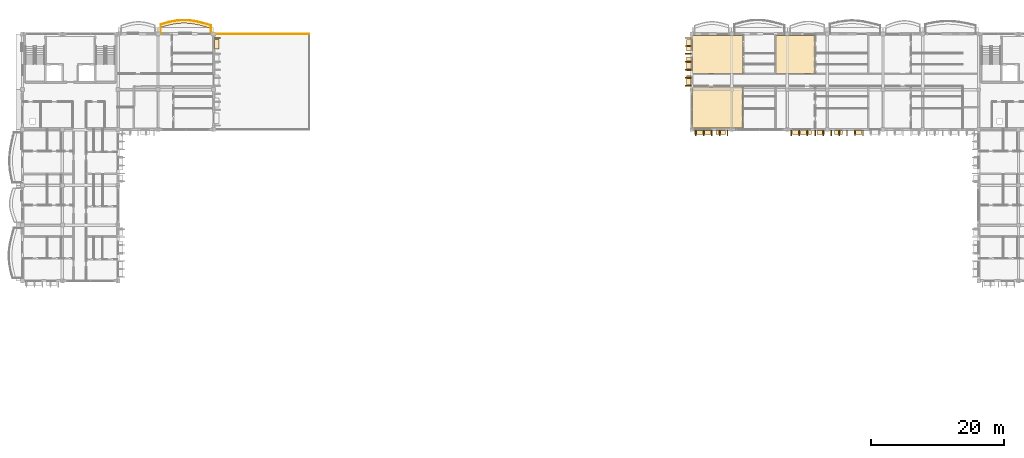
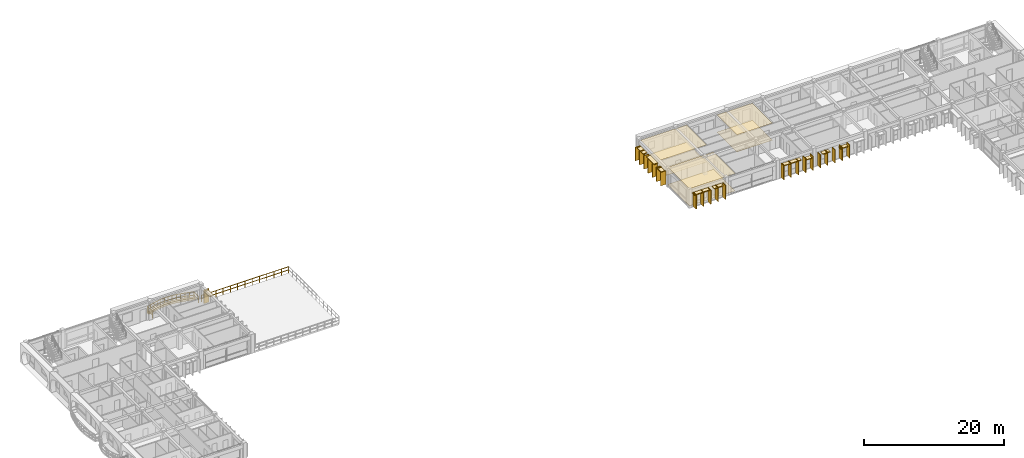
# One storey, part 25 of 31: 40 coverings, 2 railings.
"""IFC4 building model written with IfcOpenShell, lengths in metres."""

import ifcopenshell
import ifcopenshell.guid

model = None  # the IFC model being written
_history = None  # IfcOwnerHistory: only IFC2X3 demands one
_inside = {}  # id of a spatial element -> (the spatial element, [elements in it])
_under = {}  # id of a project, library or spatial element -> (it, [spatial elements below it])
_declared = {}  # id of a project -> (the project, [libraries it declares])
_typed = {}  # id of a type object -> (the type object, [elements of that type])
_made_of = {}  # id of a material, layer set ... -> (it, [elements and type objects made of it])


def new_model(schema):
    """Start an empty IFC model of exactly this schema.

    Asked for "IFC4X3", IfcOpenShell would pick the latest addendum, in which some entities
    have other attributes; the version numbers below select the first issue.
    IFC2X3 requires an IfcOwnerHistory on every rooted entity: one is made here for all.
    """
    global model, _history
    if schema == "IFC4X3":
        model = ifcopenshell.file(schema_version=(4, 3, 0, 0))
    else:
        model = ifcopenshell.file(schema=schema)
    _inside.clear()
    _under.clear()
    _declared.clear()
    _typed.clear()
    _made_of.clear()
    _history = None
    if model.schema == "IFC2X3":
        org = make("IfcOrganization", Name="unknown")
        user = make(
            "IfcPersonAndOrganization",
            ThePerson=make("IfcPerson", FamilyName="unknown"),
            TheOrganization=org,
        )
        app = make(
            "IfcApplication",
            ApplicationDeveloper=org,
            Version="unknown",
            ApplicationFullName="unknown",
            ApplicationIdentifier="unknown",
        )
        _history = make(
            "IfcOwnerHistory",
            OwningUser=user,
            OwningApplication=app,
            ChangeAction="ADDED",
            CreationDate=0,
        )
    return model


def make(cls, **values):
    """One entity of the class cls with the attributes given. An attribute that is None is left unset."""
    return model.create_entity(
        cls, **{name: value for name, value in values.items() if value is not None}
    )


def rooted(cls, **values):
    """An entity with a GlobalId (a new one), such as an element, a storey or a relation."""
    return make(cls, GlobalId=ifcopenshell.guid.new(), OwnerHistory=_history, **values)


def si_unit(unit_type, name, prefix=None):
    """IfcSIUnit, for example si_unit("LENGTHUNIT", "METRE", prefix="MILLI")."""
    return make("IfcSIUnit", UnitType=unit_type, Prefix=prefix, Name=name)


def assignment(units):
    """IfcUnitAssignment: the units of a project."""
    return None if units is None else make("IfcUnitAssignment", Units=units)


def point(xyz):
    """IfcCartesianPoint."""
    return None if xyz is None else make("IfcCartesianPoint", Coordinates=xyz)


def direction(xyz):
    """IfcDirection."""
    return None if xyz is None else make("IfcDirection", DirectionRatios=xyz)


def frame(location, z_axis=None, x_axis=None):
    """IfcAxis2Placement3D, a coordinate frame: its origin and axes. An axis left out is left unset."""
    return make(
        "IfcAxis2Placement3D",
        Location=point(location),
        Axis=direction(z_axis),
        RefDirection=direction(x_axis),
    )


def frame_2d(location, x_axis=None):
    """IfcAxis2Placement2D, a coordinate frame in the plane: its origin and x axis."""
    return make(
        "IfcAxis2Placement2D", Location=point(location), RefDirection=direction(x_axis)
    )


def origin():
    """The frame at (0, 0, 0) with its axes left unset."""
    return frame((0.0, 0.0, 0.0))


def origin_2d():
    """The frame at (0, 0) in the plane with its x axis left unset."""
    return frame_2d((0.0, 0.0))


def place(relative_to, where):
    """IfcLocalPlacement: puts the frame where relative to a parent placement (None: the world)."""
    return make(
        "IfcLocalPlacement", PlacementRelTo=relative_to, RelativePlacement=where
    )


def context(
    kind, dimensions, precision=None, world=None, true_north=None, identifier=None
):
    """IfcGeometricRepresentationContext, for example the 3D "Model" context."""
    return make(
        "IfcGeometricRepresentationContext",
        ContextIdentifier=identifier,
        ContextType=kind,
        CoordinateSpaceDimension=dimensions,
        Precision=precision,
        WorldCoordinateSystem=world,
        TrueNorth=true_north,
    )


def subcontext(parent, identifier, kind, view, scale=None):
    """IfcGeometricRepresentationSubContext, for example "Body" below "Model"."""
    return make(
        "IfcGeometricRepresentationSubContext",
        ContextIdentifier=identifier,
        ContextType=kind,
        ParentContext=parent,
        TargetScale=scale,
        TargetView=view,
    )


def project(units=None, contexts=None):
    """IfcProject with its units and contexts."""
    return rooted(
        "IfcProject",
        Name="project",
        RepresentationContexts=contexts,
        UnitsInContext=assignment(units),
    )


def spatial(cls, under=None, at=None, **own):
    """A site, building, storey or space (cls), placed at a placement, below another one or the project."""
    s = rooted(cls, ObjectPlacement=at, **own)
    if under is not None:
        _under.setdefault(under.id(), (under, []))[1].append(s)
    return s


def polyline(points):
    """IfcPolyline through the points."""
    return make("IfcPolyline", Points=[point(p) for p in points])


def profile(cls, at=None, kind="AREA", **sizes):
    """A parametric profile (cls). Its sizes go by their IFC names, for example OverallWidth=200.0."""
    return make(cls, ProfileType=kind, Position=at, **sizes)


def rectangle(**sizes):
    """IfcRectangleProfileDef."""
    return profile("IfcRectangleProfileDef", **sizes)


def outline(outer, holes=None, kind="AREA"):
    """IfcArbitraryClosedProfileDef: a profile drawn as a closed curve; with holes, ...WithVoids."""
    if holes is None:
        return make("IfcArbitraryClosedProfileDef", ProfileType=kind, OuterCurve=outer)
    return make(
        "IfcArbitraryProfileDefWithVoids",
        ProfileType=kind,
        OuterCurve=outer,
        InnerCurves=holes,
    )


def extrude(swept, where, along, depth):
    """IfcExtrudedAreaSolid: the profile swept, set in the frame where, extruded along a direction by depth."""
    return make(
        "IfcExtrudedAreaSolid",
        SweptArea=swept,
        Position=where,
        ExtrudedDirection=direction(along),
        Depth=depth,
    )


def shape(context_of_items, identifier, shape_type, items):
    """IfcShapeRepresentation: the items that make up one representation, for example the "Body"."""
    return make(
        "IfcShapeRepresentation",
        ContextOfItems=context_of_items,
        RepresentationIdentifier=identifier,
        RepresentationType=shape_type,
        Items=items,
    )


def material(Name=None, Category=None):
    """IfcMaterial."""
    return make("IfcMaterial", Name=Name, Category=Category)


def layer(
    of_material, thickness, ventilated=None, Name=None, Category=None, Priority=None
):
    """IfcMaterialLayer: one layer of a wall or slab, of a material (None: an air gap)."""
    return make(
        "IfcMaterialLayer",
        Material=of_material,
        LayerThickness=thickness,
        IsVentilated=ventilated,
        Name=Name,
        Category=Category,
        Priority=Priority,
    )


def layer_set(layers, Name=None):
    """IfcMaterialLayerSet."""
    return make("IfcMaterialLayerSet", MaterialLayers=layers, LayerSetName=Name)


def made_of(thing, what):
    """Note that an element or type object is made of a material, layer set ...; save() writes the relation."""
    if what is not None:
        _made_of.setdefault(what.id(), (what, []))[1].append(thing)
    return thing


def type_object(cls, material=None, **own):
    """A type object (cls), such as IfcWallType, which elements share."""
    return made_of(rooted(cls, **own), material)


def element(
    cls,
    number,
    at=None,
    inside=None,
    cuts=None,
    type_object=None,
    material=None,
    context=None,
    identifier="Body",
    shape_type=None,
    held_by="IfcProductDefinitionShape",
    body=None,
    shapes=None,
    **own,
):
    """One element of the class cls, such as IfcWall. Its Tag is "e" and its number.

    at: its placement. inside: the storey or other place that contains it. cuts: it is an
    opening in that element (IfcRelVoidsElement). A single representation is given by context,
    identifier, shape_type and body (its items); several are given by shapes. held_by: the class
    of the entity that holds the representations. save() writes the other relations.
    """
    e = rooted(cls, Tag="e%d" % number, ObjectPlacement=at, **own)
    if body is not None:
        shapes = [shape(context, identifier, shape_type, body)]
    if shapes is not None:
        e.Representation = make(held_by, Representations=shapes)
    if inside is not None:
        _inside.setdefault(inside.id(), (inside, []))[1].append(e)
    if cuts is not None:
        rooted(
            "IfcRelVoidsElement", RelatingBuildingElement=cuts, RelatedOpeningElement=e
        )
    if type_object is not None:
        _typed.setdefault(type_object.id(), (type_object, []))[1].append(e)
    return made_of(e, material)


def aggregate(whole, parts):
    """IfcRelAggregates: a whole, such as a stair, and the parts it consists of."""
    return rooted("IfcRelAggregates", RelatingObject=whole, RelatedObjects=parts)


def save(model, path):
    """Write the relations noted so far, then the file.

    IfcRelAggregates (storeys below a building ...), IfcRelContainedInSpatialStructure (elements
    in a storey), IfcRelDefinesByType, IfcRelAssociatesMaterial and IfcRelDeclares: one each for
    every whole, place, type object, material and project.
    """
    for whole, parts in _under.values():
        aggregate(whole, parts)
    for where, things in _inside.values():
        rooted(
            "IfcRelContainedInSpatialStructure",
            RelatedElements=things,
            RelatingStructure=where,
        )
    for kind, things in _typed.values():
        rooted("IfcRelDefinesByType", RelatedObjects=things, RelatingType=kind)
    for what, things in _made_of.values():
        rooted("IfcRelAssociatesMaterial", RelatedObjects=things, RelatingMaterial=what)
    for by, libraries in _declared.values():
        rooted("IfcRelDeclares", RelatingContext=by, RelatedDefinitions=libraries)
    model.write(path)


model = new_model("IFC4")

# Units and contexts
model_context = context("Model", 3, precision=1e-05, world=origin(), true_north=direction((0.0, 1.0)))
body_context = subcontext(model_context, "Body", "Model", "MODEL_VIEW")
ifc_project = project(units=[si_unit("LENGTHUNIT", "METRE"), si_unit("AREAUNIT", "SQUARE_METRE"), si_unit("VOLUMEUNIT", "CUBIC_METRE"), si_unit("PLANEANGLEUNIT", "RADIAN"), si_unit("MASSUNIT", "GRAM", prefix="KILO"), si_unit("THERMODYNAMICTEMPERATUREUNIT", "KELVIN")], contexts=[model_context])

# Site, building, storey
site_placement = place(None, origin())
site = spatial("IfcSite", under=ifc_project, at=site_placement, CompositionType="ELEMENT")
building_placement = place(site_placement, origin())
building = spatial("IfcBuilding", under=site, at=building_placement, Name="Thalorik Housing Commons", CompositionType="ELEMENT")
storey_placement = place(building_placement, frame((0.0, 0.0, 37.800048828125)))
storey = spatial("IfcBuildingStorey", under=building, at=storey_placement, Name="L11", CompositionType="ELEMENT", Elevation=37.800048828125)

# Coverings
ifc_material_1 = material(Name="Precast concrete C40/50", Category="concrete")
ifc_layer_1 = layer(ifc_material_1, 0.85009765625, Name="Precast concrete C40/50", Category="concrete")
ifc_layer_set_1 = layer_set([ifc_layer_1], Name="Precast concrete C40/50")
covering_type_1 = type_object("IfcCoveringType", Name="ARC-CLD-FIN-850", PredefinedType="CLADDING", material=ifc_layer_set_1)
for number, where, z_axis, x_axis, name in (
    (1, (37.737548828125, 123.0, 0.0400390625), (0.0, 0.0, 1.0), (0.0, 1.0, 0.0), "L11 Courtyard Precast Vertical Brise-Soleil Fin 1126"),
    (2, (108.66748046875, 123.0, 0.0400390625), (0.0, 0.0, 1.0), (0.0, -1.0, 0.0), "L11 Courtyard Precast Vertical Brise-Soleil Fin 3182"),
    (3, (108.66748046875, 121.800048828125, 0.0400390625), (0.0, 0.0, 1.0), (0.0, -1.0, 0.0), "L11 Courtyard Precast Vertical Brise-Soleil Fin 3183"),
    (4, (108.66748046875, 120.60009765625, 0.0400390625), (0.0, 0.0, 1.0), (0.0, -1.0, 0.0), "L11 Courtyard Precast Vertical Brise-Soleil Fin 3184"),
    (5, (108.66748046875, 119.39990234375, 0.0400390625), (0.0, 0.0, 1.0), (0.0, -1.0, 0.0), "L11 Courtyard Precast Vertical Brise-Soleil Fin 3185"),
    (6, (108.66748046875, 118.199951171875, 0.0400390625), (0.0, 0.0, 1.0), (0.0, -1.0, 0.0), "L11 Courtyard Precast Vertical Brise-Soleil Fin 3186"),
    (7, (108.66748046875, 117.0, 0.0400390625), (0.0, 0.0, 1.0), (0.0, -1.0, 0.0), "L11 Courtyard Precast Vertical Brise-Soleil Fin 3187"),
    (8, (108.66748046875, 115.800048828125, 0.0400390625), (0.0, 0.0, 1.0), (0.0, -1.0, 0.0), "L11 Courtyard Precast Vertical Brise-Soleil Fin 3188"),
):
    element("IfcCovering", number, at=place(storey_placement, frame(where, z_axis=z_axis, x_axis=x_axis)), inside=storey, type_object=covering_type_1, Name=name, PredefinedType="CLADDING", context=body_context, shape_type="SweptSolid", body=[
        extrude(rectangle(XDim=0.110107421875, YDim=0.85009765625, at=origin_2d()), origin(), (0.0, 0.0, 1.0), 2.344970703125),
    ])
for number, where, z_axis, x_axis, name in (
    (9, (109.800048828125, 108.66748046875, 0.0400390625), (0.0, 0.0, 1.0), (1.0, 0.0, 0.0), "L11 Courtyard Precast Vertical Brise-Soleil Fin 3192"),
    (10, (111.0, 108.66748046875, 0.0400390625), (0.0, 0.0, 1.0), (1.0, 0.0, 0.0), "L11 Courtyard Precast Vertical Brise-Soleil Fin 3193"),
    (11, (112.199951171875, 108.66748046875, 0.0400390625), (0.0, 0.0, 1.0), (1.0, 0.0, 0.0), "L11 Courtyard Precast Vertical Brise-Soleil Fin 3194"),
    (12, (113.39990234375, 108.66748046875, 0.0400390625), (0.0, 0.0, 1.0), (1.0, 0.0, 0.0), "L11 Courtyard Precast Vertical Brise-Soleil Fin 3195"),
    (13, (114.60009765625, 108.66748046875, 0.0400390625), (0.0, 0.0, 1.0), (1.0, 0.0, 0.0), "L11 Courtyard Precast Vertical Brise-Soleil Fin 3196"),
    (14, (124.199951171875, 108.66748046875, 0.0400390625), (0.0, 0.0, 1.0), (1.0, 0.0, 0.0), "L11 Courtyard Precast Vertical Brise-Soleil Fin 3199"),
    (15, (125.39990234375, 108.66748046875, 0.0400390625), (0.0, 0.0, 1.0), (1.0, 0.0, 0.0), "L11 Courtyard Precast Vertical Brise-Soleil Fin 3200"),
    (16, (126.60009765625, 108.66748046875, 0.0400390625), (0.0, 0.0, 1.0), (1.0, 0.0, 0.0), "L11 Courtyard Precast Vertical Brise-Soleil Fin 3201"),
    (17, (127.800048828125, 108.66748046875, 0.0400390625), (0.0, 0.0, 1.0), (1.0, 0.0, 0.0), "L11 Courtyard Precast Vertical Brise-Soleil Fin 3202"),
    (18, (129.0, 108.66748046875, 0.0400390625), (0.0, 0.0, 1.0), (1.0, 0.0, 0.0), "L11 Courtyard Precast Vertical Brise-Soleil Fin 3203"),
):
    element("IfcCovering", number, at=place(storey_placement, frame(where, z_axis=z_axis, x_axis=x_axis)), inside=storey, type_object=covering_type_1, Name=name, PredefinedType="CLADDING", context=body_context, shape_type="SweptSolid", body=[
        extrude(rectangle(XDim=0.110107421875, YDim=0.85009765625, at=origin_2d()), origin(), (0.0, 0.0, 1.0), 2.445068359375),
    ])
for number, where, z_axis, x_axis, name in (
    (19, (130.199951171875, 108.66748046875, 0.0400390625), (0.0, 0.0, 1.0), (1.0, 0.0, 0.0), "L11 Courtyard Precast Vertical Brise-Soleil Fin 3206"),
    (20, (131.39990234375, 108.66748046875, 0.0400390625), (0.0, 0.0, 1.0), (1.0, 0.0, 0.0), "L11 Courtyard Precast Vertical Brise-Soleil Fin 3207"),
    (21, (132.60009765625, 108.66748046875, 0.0400390625), (0.0, 0.0, 1.0), (1.0, 0.0, 0.0), "L11 Courtyard Precast Vertical Brise-Soleil Fin 3208"),
    (22, (133.800048828125, 108.66748046875, 0.0400390625), (0.0, 0.0, 1.0), (1.0, 0.0, 0.0), "L11 Courtyard Precast Vertical Brise-Soleil Fin 3209"),
    (23, (135.0, 108.66748046875, 0.0400390625), (0.0, 0.0, 1.0), (1.0, 0.0, 0.0), "L11 Courtyard Precast Vertical Brise-Soleil Fin 3210"),
):
    element("IfcCovering", number, at=place(storey_placement, frame(where, z_axis=z_axis, x_axis=x_axis)), inside=storey, type_object=covering_type_1, Name=name, PredefinedType="CLADDING", context=body_context, shape_type="SweptSolid", body=[
        extrude(rectangle(XDim=0.110107421875, YDim=0.85009765625, at=origin_2d()), origin(), (0.0, 0.0, 1.0), 2.294921875),
    ])
ifc_layer_2 = layer(ifc_material_1, 0.64990234375, Name="Precast concrete C40/50", Category="concrete")
ifc_layer_set_2 = layer_set([ifc_layer_2], Name="Precast concrete C40/50")
covering_type_2 = type_object("IfcCoveringType", Name="ARC-CLD-HOOD-650", PredefinedType="CLADDING", material=ifc_layer_set_2)
covering_1_placement = place(storey_placement, frame((37.637451171875, 122.044677734375, 2.16015625), z_axis=(0.0, 0.0, 1.0), x_axis=(0.0, 1.0, 0.0)))
element("IfcCovering", 24, at=covering_1_placement, inside=storey, type_object=covering_type_2, Name="L11 Courtyard Precast Window Sun-Hood 1127", PredefinedType="CLADDING", context=body_context, shape_type="SweptSolid", body=[
    extrude(rectangle(XDim=1.389892578125, YDim=0.64990234375, at=origin_2d()), origin(), (0.0, 0.0, 1.0), 0.139892578125),
])
covering_2_placement = place(storey_placement, frame((108.767578125, 121.91748046875, 2.2099609375), z_axis=(0.0, 0.0, 1.0), x_axis=(0.0, -1.0, 0.0)))
element("IfcCovering", 25, at=covering_2_placement, inside=storey, type_object=covering_type_2, Name="L11 Courtyard Precast Window Sun-Hood 3189", PredefinedType="CLADDING", context=body_context, shape_type="SweptSolid", body=[
    extrude(rectangle(XDim=1.760009765625, YDim=0.64990234375, at=origin_2d()), origin(), (0.0, 0.0, 1.0), 0.139892578125),
])
covering_3_placement = place(storey_placement, frame((108.767578125, 119.072509765625, 2.27490234375), z_axis=(0.0, 0.0, 1.0), x_axis=(0.0, -1.0, 0.0)))
element("IfcCovering", 26, at=covering_3_placement, inside=storey, type_object=covering_type_2, Name="L11 Courtyard Precast Window Sun-Hood 3190", PredefinedType="CLADDING", context=body_context, shape_type="SweptSolid", body=[
    extrude(rectangle(XDim=2.1201171875, YDim=0.64990234375, at=origin_2d()), origin(), (0.0, 0.0, 1.0), 0.139892578125),
])
covering_4_placement = place(storey_placement, frame((108.767578125, 116.64990234375, 2.14013671875), z_axis=(0.0, 0.0, 1.0), x_axis=(0.0, -1.0, 0.0)))
element("IfcCovering", 27, at=covering_4_placement, inside=storey, type_object=covering_type_2, Name="L11 Courtyard Precast Window Sun-Hood 3191", PredefinedType="CLADDING", context=body_context, shape_type="SweptSolid", body=[
    extrude(rectangle(XDim=1.43994140625, YDim=0.64990234375, at=origin_2d()), origin(), (0.0, 0.0, 1.0), 0.139892578125),
])
covering_5_placement = place(storey_placement, frame((110.830078125, 108.767578125, 2.31005859375), z_axis=(0.0, 0.0, 1.0), x_axis=(1.0, 0.0, 0.0)))
element("IfcCovering", 28, at=covering_5_placement, inside=storey, type_object=covering_type_2, Name="L11 Courtyard Precast Window Sun-Hood 3197", PredefinedType="CLADDING", context=body_context, shape_type="SweptSolid", body=[
    extrude(rectangle(XDim=2.47998046875, YDim=0.64990234375, at=origin_2d()), origin(), (0.0, 0.0, 1.0), 0.139892578125),
])
covering_6_placement = place(storey_placement, frame((113.570068359375, 108.767578125, 2.2900390625), z_axis=(0.0, 0.0, 1.0), x_axis=(1.0, 0.0, 0.0)))
element("IfcCovering", 29, at=covering_6_placement, inside=storey, type_object=covering_type_2, Name="L11 Courtyard Precast Window Sun-Hood 3198", PredefinedType="CLADDING", context=body_context, shape_type="SweptSolid", body=[
    extrude(rectangle(XDim=1.43994140625, YDim=0.64990234375, at=origin_2d()), origin(), (0.0, 0.0, 1.0), 0.139892578125),
])
covering_7_placement = place(storey_placement, frame((125.7900390625, 108.767578125, 2.27001953125), z_axis=(0.0, 0.0, 1.0), x_axis=(1.0, 0.0, 0.0)))
element("IfcCovering", 30, at=covering_7_placement, inside=storey, type_object=covering_type_2, Name="L11 Courtyard Precast Window Sun-Hood 3204", PredefinedType="CLADDING", context=body_context, shape_type="SweptSolid", body=[
    extrude(rectangle(XDim=2.820068359375, YDim=0.64990234375, at=origin_2d()), origin(), (0.0, 0.0, 1.0), 0.139892578125),
])
covering_8_placement = place(storey_placement, frame((128.60009765625, 108.767578125, 1.990234375), z_axis=(0.0, 0.0, 1.0), x_axis=(1.0, 0.0, 0.0)))
element("IfcCovering", 31, at=covering_8_placement, inside=storey, type_object=covering_type_2, Name="L11 Courtyard Precast Window Sun-Hood 3205", PredefinedType="CLADDING", context=body_context, shape_type="SweptSolid", body=[
    extrude(rectangle(XDim=1.139892578125, YDim=0.64990234375, at=origin_2d()), origin(), (0.0, 0.0, 1.0), 0.139892578125),
])
covering_9_placement = place(storey_placement, frame((131.320068359375, 108.767578125, 2.0400390625), z_axis=(0.0, 0.0, 1.0), x_axis=(1.0, 0.0, 0.0)))
element("IfcCovering", 32, at=covering_9_placement, inside=storey, type_object=covering_type_2, Name="L11 Courtyard Precast Window Sun-Hood 3213", PredefinedType="CLADDING", context=body_context, shape_type="SweptSolid", body=[
    extrude(rectangle(XDim=1.239990234375, YDim=0.64990234375, at=origin_2d()), origin(), (0.0, 0.0, 1.0), 0.139892578125),
])
covering_10_placement = place(storey_placement, frame((134.239990234375, 108.767578125, 1.93994140625), z_axis=(0.0, 0.0, 1.0), x_axis=(1.0, 0.0, 0.0)))
element("IfcCovering", 33, at=covering_10_placement, inside=storey, type_object=covering_type_2, Name="L11 Courtyard Precast Window Sun-Hood 3214", PredefinedType="CLADDING", context=body_context, shape_type="SweptSolid", body=[
    extrude(rectangle(XDim=1.18994140625, YDim=0.64990234375, at=origin_2d()), origin(), (0.0, 0.0, 1.0), 0.139892578125),
])
ifc_material_2 = material(Name="Perforated acoustic gypsum ceiling board")
ifc_layer_3 = layer(ifc_material_2, 0.014892578125, Name="Perforated acoustic gypsum ceiling board")
ifc_layer_set_3 = layer_set([ifc_layer_3], Name="Perforated acoustic gypsum ceiling board")
covering_type_3 = type_object("IfcCoveringType", Name="ARC-COV-CEIL-01", PredefinedType="CEILING", material=ifc_layer_set_3)
covering_11_placement = place(storey_placement, frame((0.0, 0.0, 2.98486328125)))
element("IfcCovering", 34, at=covering_11_placement, inside=storey, type_object=covering_type_3, Name="L11 Family Lounge Suspended Ceiling", PredefinedType="CEILING", context=body_context, shape_type="SweptSolid", body=[
    extrude(outline(polyline([(116.864990234375, 109.43994140625), (116.864990234375, 115.639892578125), (109.340087890625, 115.639892578125), (109.340087890625, 109.43994140625), (116.864990234375, 109.43994140625)])), origin(), (0.0, 0.0, 1.0), 0.01513671875),
])
ifc_material_3 = material(Name="Mineral fibre acoustic ceiling tile")
ifc_layer_4 = layer(ifc_material_3, 0.01806640625, Name="Mineral fibre acoustic ceiling tile")
ifc_layer_set_4 = layer_set([ifc_layer_4], Name="Mineral fibre acoustic ceiling tile")
covering_type_4 = type_object("IfcCoveringType", Name="ARC-COV-CEIL-02", PredefinedType="CEILING", material=ifc_layer_set_4)
covering_12_placement = place(storey_placement, frame((0.0, 0.0, 2.98193359375)))
element("IfcCovering", 35, at=covering_12_placement, inside=storey, type_object=covering_type_4, Name="L11 Sunlit Wintergarden Lounge Suspended Ceiling", PredefinedType="CEILING", context=body_context, shape_type="SweptSolid", body=[
    extrude(outline(polyline([(116.9140625, 117.659912109375), (116.9140625, 123.360107421875), (109.340087890625, 123.360107421875), (109.340087890625, 117.659912109375), (116.9140625, 117.659912109375)])), origin(), (0.0, 0.0, 1.0), 0.01806640625),
])
ifc_material_4 = material(Name="Slatted timber acoustic hall baffle ceiling", Category="wood")
ifc_layer_5 = layer(ifc_material_4, 0.02197265625, Name="Slatted timber acoustic hall baffle ceiling", Category="wood")
ifc_layer_set_5 = layer_set([ifc_layer_5], Name="Slatted timber acoustic hall baffle ceiling")
covering_type_5 = type_object("IfcCoveringType", Name="ARC-COV-CEIL-03", PredefinedType="CEILING", material=ifc_layer_set_5)
covering_13_placement = place(storey_placement, frame((0.0, 0.0, 2.97802734375)))
element("IfcCovering", 36, at=covering_13_placement, inside=storey, type_object=covering_type_5, Name="L11 Living Dining Room Suspended Ceiling", PredefinedType="CEILING", context=body_context, shape_type="SweptSolid", body=[
    extrude(outline(polyline([(127.74072265625, 117.659912109375), (127.74072265625, 123.360107421875), (121.889892578125, 123.360107421875), (121.889892578125, 117.659912109375), (127.74072265625, 117.659912109375)])), origin(), (0.0, 0.0, 1.0), 0.02197265625),
])
ifc_material_5 = material(Name="Glazed Recife ceramic apartment floor tile")
ifc_layer_6 = layer(ifc_material_5, 0.011962890625, Name="Glazed Recife ceramic apartment floor tile")
ifc_layer_set_6 = layer_set([ifc_layer_6], Name="Glazed Recife ceramic apartment floor tile")
covering_type_6 = type_object("IfcCoveringType", Name="ARC-COV-FLR-01", PredefinedType="FLOORING", material=ifc_layer_set_6)
covering_14_placement = place(storey_placement, origin())
element("IfcCovering", 37, at=covering_14_placement, inside=storey, type_object=covering_type_6, Name="L11 Family Lounge Flooring", PredefinedType="FLOORING", context=body_context, shape_type="SweptSolid", body=[
    extrude(outline(polyline([(116.864990234375, 109.43994140625), (116.864990234375, 115.639892578125), (109.340087890625, 115.639892578125), (109.340087890625, 109.43994140625), (116.864990234375, 109.43994140625)])), origin(), (0.0, 0.0, 1.0), 0.011962890625),
])
ifc_material_6 = material(Name="Slip-resistant quarry terracotta corridor tile", Category="masonry")
ifc_layer_7 = layer(ifc_material_6, 0.01611328125, Name="Slip-resistant quarry terracotta corridor tile", Category="masonry")
ifc_layer_set_7 = layer_set([ifc_layer_7], Name="Slip-resistant quarry terracotta corridor tile")
covering_type_7 = type_object("IfcCoveringType", Name="ARC-COV-FLR-02", PredefinedType="FLOORING", material=ifc_layer_set_7)
covering_15_placement = place(storey_placement, origin())
element("IfcCovering", 38, at=covering_15_placement, inside=storey, type_object=covering_type_7, Name="L11 Sunlit Wintergarden Lounge Flooring", PredefinedType="FLOORING", context=body_context, shape_type="SweptSolid", body=[
    extrude(outline(polyline([(116.9140625, 117.659912109375), (116.9140625, 123.360107421875), (109.340087890625, 123.360107421875), (109.340087890625, 117.659912109375), (116.9140625, 117.659912109375)])), origin(), (0.0, 0.0, 1.0), 0.015869140625),
])
ifc_material_7 = material(Name="Cushioned natural linoleum nursery playroom flooring")
ifc_layer_8 = layer(ifc_material_7, 0.02001953125, Name="Cushioned natural linoleum nursery playroom flooring")
ifc_layer_set_8 = layer_set([ifc_layer_8], Name="Cushioned natural linoleum nursery playroom flooring")
covering_type_8 = type_object("IfcCoveringType", Name="ARC-COV-FLR-03", PredefinedType="FLOORING", material=ifc_layer_set_8)
covering_16_placement = place(storey_placement, origin())
element("IfcCovering", 39, at=covering_16_placement, inside=storey, type_object=covering_type_8, Name="L11 Living Dining Room Flooring", PredefinedType="FLOORING", context=body_context, shape_type="SweptSolid", body=[
    extrude(outline(polyline([(127.74072265625, 117.659912109375), (127.74072265625, 123.360107421875), (121.889892578125, 123.360107421875), (121.889892578125, 117.659912109375), (127.74072265625, 117.659912109375)])), origin(), (0.0, 0.0, 1.0), 0.02001953125),
])
ifc_material_8 = material(Name="Planted vegetated substrate and terracotta trough", Category="masonry")
ifc_layer_9 = layer(ifc_material_8, 0.340087890625, Name="Planted vegetated substrate and terracotta trough", Category="masonry")
ifc_layer_set_9 = layer_set([ifc_layer_9], Name="Planted vegetated substrate and terracotta trough")
covering_type_9 = type_object("IfcCoveringType", Name="ARC-COV-PLANTER", PredefinedType="USERDEFINED", material=ifc_layer_set_9)
covering_17_placement = place(storey_placement, origin())
element("IfcCovering", 40, at=covering_17_placement, inside=storey, type_object=covering_type_9, Name="L11 Balcony Slab-Edge Planted Trough 5393", ObjectType="PLANTER", PredefinedType="USERDEFINED", context=body_context, shape_type="SweptSolid", body=[
    extrude(outline(polyline([(36.780029296875, 124.8193359375), (36.14990234375, 125.0048828125), (35.52001953125, 125.183349609375), (34.889892578125, 125.342529296875), (34.260009765625, 125.4716796875), (33.6298828125, 125.561279296875), (33.0, 125.60546875), (32.3701171875, 125.6005859375), (31.739990234375, 125.54736328125), (31.110107421875, 125.448974609375), (30.47998046875, 125.3125), (29.85009765625, 125.14697265625), (29.219970703125, 124.9638671875), (29.219970703125, 124.583740234375), (29.85009765625, 124.766845703125), (30.47998046875, 124.932373046875), (31.110107421875, 125.069091796875), (31.739990234375, 125.16748046875), (32.3701171875, 125.220703125), (33.0, 125.225341796875), (33.6298828125, 125.181396484375), (34.260009765625, 125.091796875), (34.889892578125, 124.962646484375), (35.52001953125, 124.80322265625), (36.14990234375, 124.624755859375), (36.780029296875, 124.439453125), (36.780029296875, 124.8193359375)])), origin(), (0.0, 0.0, 1.0), 0.33984375),
])

# Railings
ifc_material_9 = material(Name="Steel S355", Category="steel")
railing_type_1 = type_object("IfcRailingType", Name="ARC-RL-BAL-115", PredefinedType="BALUSTRADE", material=ifc_material_9)
railing_1_placement = place(storey_placement, frame((36.780029296875, 123.60009765625, 0.0)))
element("IfcRailing", 41, at=railing_1_placement, inside=storey, type_object=railing_type_1, Name="L11 Cushion Balcony Guardrail 77", PredefinedType="BALUSTRADE", context=body_context, shape_type="SweptSolid", body=[
    extrude(rectangle(XDim=0.050048828125, YDim=0.050048828125, at=origin_2d()), frame((0.0, 0.0, 1.125), z_axis=(0.0, 1.0, 0.0), x_axis=(-1.0, 0.0, 0.0)), (0.0, 0.0, 1.0), 1.289306640625),
    extrude(rectangle(XDim=0.050048828125, YDim=0.050048828125, at=origin_2d()), frame((0.0, 0.0, 0.5498046875), z_axis=(0.0, 1.0, 0.0), x_axis=(-1.0, 0.0, 0.0)), (0.0, 0.0, 1.0), 1.289306640625),
    extrude(rectangle(XDim=0.050048828125, YDim=0.050048828125, at=origin_2d()), frame((0.0, 1.289306640625, 1.125), z_axis=(-0.959377338549, 0.282126075149, 0.0), x_axis=(-0.282126075149, -0.959377338549, 0.0)), (0.0, 0.0, 1.0), 0.65673828125),
    extrude(rectangle(XDim=0.050048828125, YDim=0.050048828125, at=origin_2d()), frame((0.0, 1.289306640625, 0.5498046875), z_axis=(-0.959377338549, 0.282126075149, 0.0), x_axis=(-0.282126075149, -0.959377338549, 0.0)), (0.0, 0.0, 1.0), 0.65673828125),
    extrude(rectangle(XDim=0.050048828125, YDim=0.050048828125, at=origin_2d()), frame((-0.630126953125, 1.474609375, 1.125), z_axis=(-0.962028866252, 0.272947724844, 0.0), x_axis=(-0.272947724844, -0.962028866252, 0.0)), (0.0, 0.0, 1.0), 0.65478515625),
    extrude(rectangle(XDim=0.050048828125, YDim=0.050048828125, at=origin_2d()), frame((-0.630126953125, 1.474609375, 0.5498046875), z_axis=(-0.962028866252, 0.272947724844, 0.0), x_axis=(-0.272947724844, -0.962028866252, 0.0)), (0.0, 0.0, 1.0), 0.65478515625),
    extrude(rectangle(XDim=0.050048828125, YDim=0.050048828125, at=origin_2d()), frame((-1.260009765625, 1.6533203125, 1.125), z_axis=(-0.969542950291, 0.244921349705, 0.0), x_axis=(-0.244921349705, -0.969542950291, 0.0)), (0.0, 0.0, 1.0), 0.64990234375),
    extrude(rectangle(XDim=0.050048828125, YDim=0.050048828125, at=origin_2d()), frame((-1.260009765625, 1.6533203125, 0.5498046875), z_axis=(-0.969542950291, 0.244921349705, 0.0), x_axis=(-0.244921349705, -0.969542950291, 0.0)), (0.0, 0.0, 1.0), 0.64990234375),
    extrude(rectangle(XDim=0.050048828125, YDim=0.050048828125, at=origin_2d()), frame((-1.89013671875, 1.8125, 1.125), z_axis=(-0.979619945128, 0.200860058517, 0.0), x_axis=(-0.200860058517, -0.979619945128, 0.0)), (0.0, 0.0, 1.0), 0.64306640625),
    extrude(rectangle(XDim=0.050048828125, YDim=0.050048828125, at=origin_2d()), frame((-1.89013671875, 1.8125, 0.5498046875), z_axis=(-0.979619945128, 0.200860058517, 0.0), x_axis=(-0.200860058517, -0.979619945128, 0.0)), (0.0, 0.0, 1.0), 0.64306640625),
    extrude(rectangle(XDim=0.050048828125, YDim=0.050048828125, at=origin_2d()), frame((-2.52001953125, 1.941650390625, 1.125), z_axis=(-0.990041345096, 0.140776897966, 0.0), x_axis=(-0.140776897966, -0.990041345096, 0.0)), (0.0, 0.0, 1.0), 0.636474609375),
    extrude(rectangle(XDim=0.050048828125, YDim=0.050048828125, at=origin_2d()), frame((-2.52001953125, 1.941650390625, 0.5498046875), z_axis=(-0.990041345096, 0.140776897966, 0.0), x_axis=(-0.140776897966, -0.990041345096, 0.0)), (0.0, 0.0, 1.0), 0.636474609375),
    extrude(rectangle(XDim=0.050048828125, YDim=0.050048828125, at=origin_2d()), frame((-3.150146484375, 2.03125, 1.125), z_axis=(-0.997575100836, 0.069598262849, 0.0), x_axis=(-0.069598262849, -0.997575100836, 0.0)), (0.0, 0.0, 1.0), 0.63134765625),
    extrude(rectangle(XDim=0.050048828125, YDim=0.050048828125, at=origin_2d()), frame((-3.150146484375, 2.03125, 0.5498046875), z_axis=(-0.997575100836, 0.069598262849, 0.0), x_axis=(-0.069598262849, -0.997575100836, 0.0)), (0.0, 0.0, 1.0), 0.63134765625),
    extrude(rectangle(XDim=0.050048828125, YDim=0.050048828125, at=origin_2d()), frame((-3.780029296875, 2.0751953125, 1.125), z_axis=(-0.999972884343, -0.007364141396, 0.0), x_axis=(0.007364141396, -0.999972884343, 0.0)), (0.0, 0.0, 1.0), 0.6298828125),
    extrude(rectangle(XDim=0.050048828125, YDim=0.050048828125, at=origin_2d()), frame((-3.780029296875, 2.0751953125, 0.5498046875), z_axis=(-0.999972884343, -0.007364141396, 0.0), x_axis=(0.007364141396, -0.999972884343, 0.0)), (0.0, 0.0, 1.0), 0.6298828125),
    extrude(rectangle(XDim=0.050048828125, YDim=0.050048828125, at=origin_2d()), frame((-4.409912109375, 2.070556640625, 1.125), z_axis=(-0.996451941002, -0.084163705207, 0.0), x_axis=(0.084163705207, -0.996451941002, 0.0)), (0.0, 0.0, 1.0), 0.63232421875),
    extrude(rectangle(XDim=0.050048828125, YDim=0.050048828125, at=origin_2d()), frame((-4.409912109375, 2.070556640625, 0.5498046875), z_axis=(-0.996451941002, -0.084163705207, 0.0), x_axis=(0.084163705207, -0.996451941002, 0.0)), (0.0, 0.0, 1.0), 0.63232421875),
    extrude(rectangle(XDim=0.050048828125, YDim=0.050048828125, at=origin_2d()), frame((-5.0400390625, 2.017333984375, 1.125), z_axis=(-0.988019333947, -0.154330151775, 0.0), x_axis=(0.154330151775, -0.988019333947, 0.0)), (0.0, 0.0, 1.0), 0.637451171875),
    extrude(rectangle(XDim=0.050048828125, YDim=0.050048828125, at=origin_2d()), frame((-5.0400390625, 2.017333984375, 0.5498046875), z_axis=(-0.988019333947, -0.154330151775, 0.0), x_axis=(0.154330151775, -0.988019333947, 0.0)), (0.0, 0.0, 1.0), 0.637451171875),
    extrude(rectangle(XDim=0.050048828125, YDim=0.050048828125, at=origin_2d()), frame((-5.669921875, 1.9189453125, 1.125), z_axis=(-0.977261717402, -0.212036637638, 0.0), x_axis=(0.212036637638, -0.977261717402, 0.0)), (0.0, 0.0, 1.0), 0.644775390625),
    extrude(rectangle(XDim=0.050048828125, YDim=0.050048828125, at=origin_2d()), frame((-5.669921875, 1.9189453125, 0.5498046875), z_axis=(-0.977261717402, -0.212036637638, 0.0), x_axis=(0.212036637638, -0.977261717402, 0.0)), (0.0, 0.0, 1.0), 0.644775390625),
    extrude(rectangle(XDim=0.050048828125, YDim=0.050048828125, at=origin_2d()), frame((-6.300048828125, 1.7822265625, 1.125), z_axis=(-0.967161884904, -0.254161146498, 0.0), x_axis=(0.254161146498, -0.967161884904, 0.0)), (0.0, 0.0, 1.0), 0.6513671875),
    extrude(rectangle(XDim=0.050048828125, YDim=0.050048828125, at=origin_2d()), frame((-6.300048828125, 1.7822265625, 0.5498046875), z_axis=(-0.967161884904, -0.254161146498, 0.0), x_axis=(0.254161146498, -0.967161884904, 0.0)), (0.0, 0.0, 1.0), 0.6513671875),
    extrude(rectangle(XDim=0.050048828125, YDim=0.050048828125, at=origin_2d()), frame((-6.929931640625, 1.61669921875, 1.125), z_axis=(-0.960278714224, -0.279042632959, 0.0), x_axis=(0.279042632959, -0.960278714224, 0.0)), (0.0, 0.0, 1.0), 0.65625),
    extrude(rectangle(XDim=0.050048828125, YDim=0.050048828125, at=origin_2d()), frame((-6.929931640625, 1.61669921875, 0.5498046875), z_axis=(-0.960278714224, -0.279042632959, 0.0), x_axis=(0.279042632959, -0.960278714224, 0.0)), (0.0, 0.0, 1.0), 0.65625),
    extrude(rectangle(XDim=0.050048828125, YDim=0.050048828125, at=origin_2d()), frame((-7.56005859375, 1.43359375, 1.125), z_axis=(0.0, -1.0, 0.0), x_axis=(1.0, 0.0, 0.0)), (0.0, 0.0, 1.0), 1.43359375),
    extrude(rectangle(XDim=0.050048828125, YDim=0.050048828125, at=origin_2d()), frame((-7.56005859375, 1.43359375, 0.5498046875), z_axis=(0.0, -1.0, 0.0), x_axis=(1.0, 0.0, 0.0)), (0.0, 0.0, 1.0), 1.43359375),
    extrude(rectangle(XDim=0.0419921875, YDim=0.0419921875, at=origin_2d()), origin(), (0.0, 0.0, 1.0), 1.099853515625),
    extrude(rectangle(XDim=0.0419921875, YDim=0.0419921875, at=origin_2d()), frame((0.0, 1.289306640625, 0.0)), (0.0, 0.0, 1.0), 1.099853515625),
    extrude(rectangle(XDim=0.0419921875, YDim=0.0419921875, at=origin_2d()), frame((-0.630126953125, 1.474609375, 0.0)), (0.0, 0.0, 1.0), 1.099853515625),
    extrude(rectangle(XDim=0.0419921875, YDim=0.0419921875, at=origin_2d()), frame((-1.260009765625, 1.6533203125, 0.0)), (0.0, 0.0, 1.0), 1.099853515625),
    extrude(rectangle(XDim=0.0419921875, YDim=0.0419921875, at=origin_2d()), frame((-1.89013671875, 1.8125, 0.0)), (0.0, 0.0, 1.0), 1.099853515625),
    extrude(rectangle(XDim=0.0419921875, YDim=0.0419921875, at=origin_2d()), frame((-2.52001953125, 1.941650390625, 0.0)), (0.0, 0.0, 1.0), 1.099853515625),
    extrude(rectangle(XDim=0.0419921875, YDim=0.0419921875, at=origin_2d()), frame((-3.150146484375, 2.03125, 0.0)), (0.0, 0.0, 1.0), 1.099853515625),
    extrude(rectangle(XDim=0.0419921875, YDim=0.0419921875, at=origin_2d()), frame((-3.780029296875, 2.0751953125, 0.0)), (0.0, 0.0, 1.0), 1.099853515625),
    extrude(rectangle(XDim=0.0419921875, YDim=0.0419921875, at=origin_2d()), frame((-4.409912109375, 2.070556640625, 0.0)), (0.0, 0.0, 1.0), 1.099853515625),
    extrude(rectangle(XDim=0.0419921875, YDim=0.0419921875, at=origin_2d()), frame((-5.0400390625, 2.017333984375, 0.0)), (0.0, 0.0, 1.0), 1.099853515625),
    extrude(rectangle(XDim=0.0419921875, YDim=0.0419921875, at=origin_2d()), frame((-5.669921875, 1.9189453125, 0.0)), (0.0, 0.0, 1.0), 1.099853515625),
    extrude(rectangle(XDim=0.0419921875, YDim=0.0419921875, at=origin_2d()), frame((-6.300048828125, 1.7822265625, 0.0)), (0.0, 0.0, 1.0), 1.099853515625),
    extrude(rectangle(XDim=0.0419921875, YDim=0.0419921875, at=origin_2d()), frame((-6.929931640625, 1.61669921875, 0.0)), (0.0, 0.0, 1.0), 1.099853515625),
    extrude(rectangle(XDim=0.0419921875, YDim=0.0419921875, at=origin_2d()), frame((-7.56005859375, 1.43359375, 0.0)), (0.0, 0.0, 1.0), 1.099853515625),
    extrude(rectangle(XDim=0.0419921875, YDim=0.0419921875, at=origin_2d()), frame((-7.56005859375, 0.0, 0.0)), (0.0, 0.0, 1.0), 1.099853515625),
])
railing_type_2 = type_object("IfcRailingType", Name="ARC-RL-TER-112", PredefinedType="GUARDRAIL", material=ifc_material_9)
railing_2_placement = place(storey_placement, frame((51.60009765625, 123.60009765625, 0.0)))
element("IfcRailing", 42, at=railing_2_placement, inside=storey, type_object=railing_type_2, Name="L11 L11 Upper Sky-Garden Terrace Edge Guardrail", PredefinedType="GUARDRAIL", context=body_context, shape_type="SweptSolid", body=[
    extrude(rectangle(XDim=0.048095703125, YDim=0.048095703125, at=origin_2d()), frame((0.0, 0.0, 1.09619140625), z_axis=(-1.0, 0.0, 0.0), x_axis=(0.0, -1.0, 0.0)), (0.0, 0.0, 1.0), 14.35009765625),
    extrude(rectangle(XDim=0.048095703125, YDim=0.048095703125, at=origin_2d()), frame((0.0, 0.0, 0.5361328125), z_axis=(-1.0, 0.0, 0.0), x_axis=(0.0, -1.0, 0.0)), (0.0, 0.0, 1.0), 14.35009765625),
    extrude(rectangle(XDim=0.0419921875, YDim=0.0419921875, at=origin_2d()), origin(), (0.0, 0.0, 1.0), 1.072021484375),
    extrude(rectangle(XDim=0.0419921875, YDim=0.0419921875, at=origin_2d()), frame((-1.19580078125, 0.0, 0.0)), (0.0, 0.0, 1.0), 1.072021484375),
    extrude(rectangle(XDim=0.0419921875, YDim=0.0419921875, at=origin_2d()), frame((-2.3916015625, 0.0, 0.0)), (0.0, 0.0, 1.0), 1.072021484375),
    extrude(rectangle(XDim=0.0419921875, YDim=0.0419921875, at=origin_2d()), frame((-3.58740234375, 0.0, 0.0)), (0.0, 0.0, 1.0), 1.072021484375),
    extrude(rectangle(XDim=0.0419921875, YDim=0.0419921875, at=origin_2d()), frame((-4.783447265625, 0.0, 0.0)), (0.0, 0.0, 1.0), 1.072021484375),
    extrude(rectangle(XDim=0.0419921875, YDim=0.0419921875, at=origin_2d()), frame((-5.979248046875, 0.0, 0.0)), (0.0, 0.0, 1.0), 1.072021484375),
    extrude(rectangle(XDim=0.0419921875, YDim=0.0419921875, at=origin_2d()), frame((-7.175048828125, 0.0, 0.0)), (0.0, 0.0, 1.0), 1.072021484375),
    extrude(rectangle(XDim=0.0419921875, YDim=0.0419921875, at=origin_2d()), frame((-8.370849609375, 0.0, 0.0)), (0.0, 0.0, 1.0), 1.072021484375),
    extrude(rectangle(XDim=0.0419921875, YDim=0.0419921875, at=origin_2d()), frame((-9.566650390625, 0.0, 0.0)), (0.0, 0.0, 1.0), 1.072021484375),
    extrude(rectangle(XDim=0.0419921875, YDim=0.0419921875, at=origin_2d()), frame((-10.7626953125, 0.0, 0.0)), (0.0, 0.0, 1.0), 1.072021484375),
    extrude(rectangle(XDim=0.0419921875, YDim=0.0419921875, at=origin_2d()), frame((-11.95849609375, 0.0, 0.0)), (0.0, 0.0, 1.0), 1.072021484375),
    extrude(rectangle(XDim=0.0419921875, YDim=0.0419921875, at=origin_2d()), frame((-13.154296875, 0.0, 0.0)), (0.0, 0.0, 1.0), 1.072021484375),
    extrude(rectangle(XDim=0.0419921875, YDim=0.0419921875, at=origin_2d()), frame((-14.35009765625, 0.0, 0.0)), (0.0, 0.0, 1.0), 1.072021484375),
])

save(model, "model.ifc")
